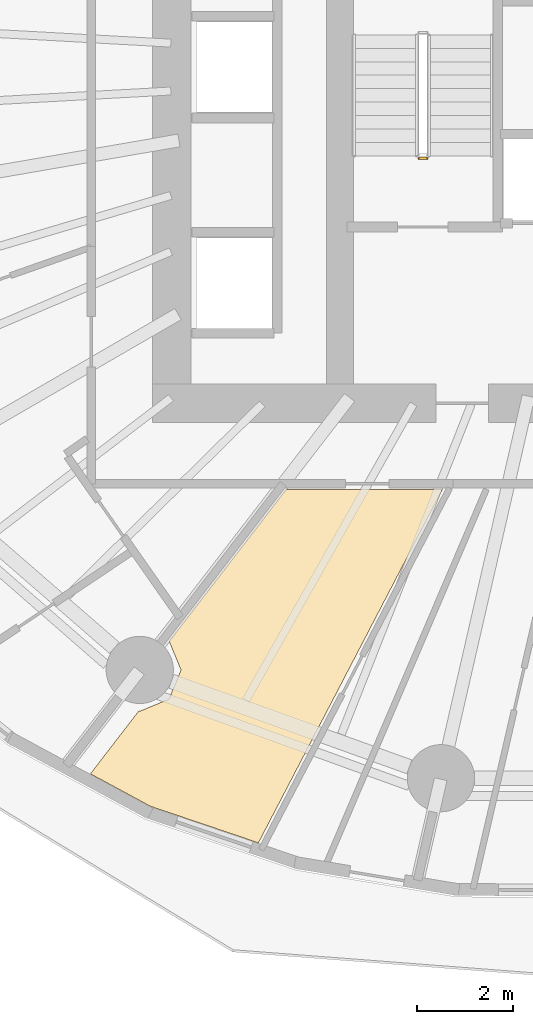
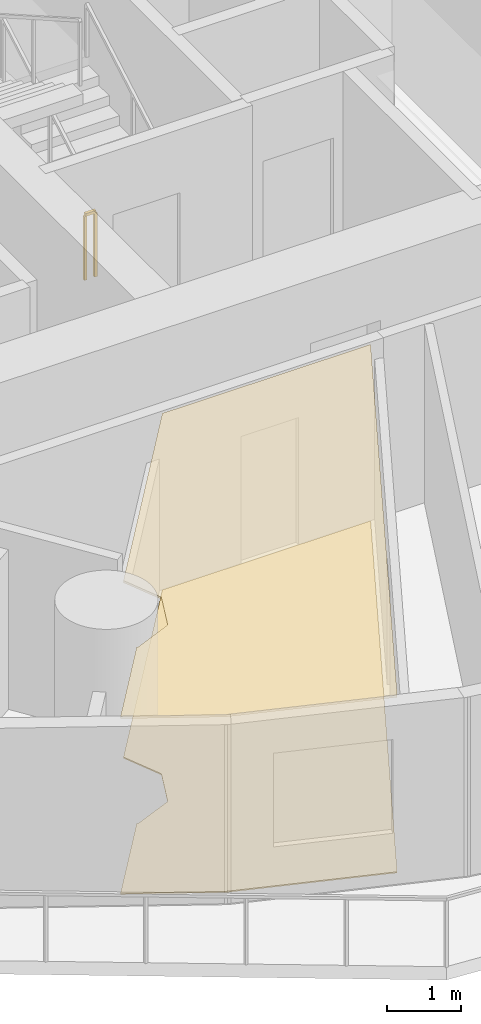
# One storey, part 10 of 13: 2 coverings, 1 railing.
"""IFC4 building model written with IfcOpenShell, lengths in metres."""

from ifc_helpers import new_model, si_unit, direction, frame, origin, origin_2d, place, context, subcontext, project, spatial, polyline, rectangle, outline, extrude, material, layer, layer_set, type_object, element, save


model = new_model("IFC4")

# Units and contexts
model_context = context("Model", 3, precision=1e-05, world=origin(), true_north=direction((0.0, 1.0)))
body_context = subcontext(model_context, "Body", "Model", "MODEL_VIEW")
ifc_project = project(units=[si_unit("LENGTHUNIT", "METRE"), si_unit("AREAUNIT", "SQUARE_METRE"), si_unit("VOLUMEUNIT", "CUBIC_METRE"), si_unit("PLANEANGLEUNIT", "RADIAN"), si_unit("MASSUNIT", "GRAM", prefix="KILO")], contexts=[model_context])

# Site, building, storey
site_placement = place(None, origin())
site = spatial("IfcSite", under=ifc_project, at=site_placement, CompositionType="ELEMENT")
building_placement = place(site_placement, origin())
building = spatial("IfcBuilding", under=site, at=building_placement, Name="Veldorim Arch Residences", CompositionType="ELEMENT")
storey_placement = place(building_placement, frame((0.0, 0.0, 53.60009765625)))
storey = spatial("IfcBuildingStorey", under=building, at=storey_placement, Name="L15", CompositionType="ELEMENT", Elevation=53.60009765625)

# Railing
ifc_material_1 = material(Name="Steel S355", Category="steel")
railing_type = type_object("IfcRailingType", Name="Galvanised Steel Stair Safety Guardrail 1100", PredefinedType="GUARDRAIL", material=ifc_material_1)
railing_placement = place(storey_placement, frame((28.31005859375, 22.10009765625, 0.0)))
element("IfcRailing", 1, at=railing_placement, inside=storey, type_object=railing_type, Name="L15 ST-1 stair guard 4", PredefinedType="GUARDRAIL", context=body_context, shape_type="SweptSolid", body=[
    extrude(rectangle(XDim=0.048095703125, YDim=0.048095703125, at=origin_2d()), frame((0.0, 0.0, 1.076171875), z_axis=(-1.0, 0.0, 0.0), x_axis=(0.0, -1.0, 0.0)), (0.0, 0.0, 1.0), 0.16015625),
    extrude(rectangle(XDim=0.0419921875, YDim=0.0419921875, at=origin_2d()), origin(), (0.0, 0.0, 1.0), 1.052001953125),
    extrude(rectangle(XDim=0.0419921875, YDim=0.0419921875, at=origin_2d()), frame((-0.16015625, 0.0, 0.0)), (0.0, 0.0, 1.0), 1.052001953125),
])

# Coverings
ifc_material_2 = material(Name="Acoustic Gypsum & Mineral Fibre", Category="gypsum")
ifc_layer_1 = layer(ifc_material_2, 0.034912109375, Name="Perforated Acoustic Mineral-Fibre Ceiling 35")
ifc_layer_set_1 = layer_set([ifc_layer_1], Name="Acoustic Gypsum & Mineral Fibre")
covering_type_1 = type_object("IfcCoveringType", Name="Perforated Acoustic Mineral-Fibre Ceiling 35", PredefinedType="CEILING", material=ifc_layer_set_1)
covering_1_placement = place(storey_placement, frame((0.0, 0.0, 2.90478515625)))
element("IfcCovering", 2, at=covering_1_placement, inside=storey, type_object=covering_type_1, Name="L15 acoustic suspended ceiling 02", PredefinedType="CEILING", context=body_context, shape_type="SweptSolid", body=[
    extrude(outline(polyline([(22.314453125, 10.5927734375), (22.3330078125, 10.5849609375), (22.941162109375, 10.8369140625), (23.193115234375, 11.44482421875), (22.9453125, 12.043212890625), (25.3759765625, 15.199951171875), (28.634521484375, 15.199951171875), (24.80322265625, 7.84375), (22.557861328125, 8.604248046875), (21.3046875, 9.28125), (22.314453125, 10.5927734375)])), origin(), (0.0, 0.0, 1.0), 0.03515625),
])
ifc_material_3 = material(Name="Porcelain Ceramic Tile", Category="ceramic")
ifc_layer_2 = layer(ifc_material_3, 0.02001953125, Name="Slip-Resistant Porcelain & Vinyl Floor Finish 20")
ifc_layer_set_2 = layer_set([ifc_layer_2], Name="Porcelain Ceramic Tile")
covering_type_2 = type_object("IfcCoveringType", Name="Slip-Resistant Porcelain & Vinyl Floor Finish 20", PredefinedType="FLOORING", material=ifc_layer_set_2)
covering_2_placement = place(storey_placement, origin())
element("IfcCovering", 3, at=covering_2_placement, inside=storey, type_object=covering_type_2, Name="L15 porcelain floor finish 02", PredefinedType="FLOORING", context=body_context, shape_type="SweptSolid", body=[
    extrude(outline(polyline([(22.314453125, 10.5927734375), (22.3330078125, 10.5849609375), (22.941162109375, 10.8369140625), (23.193115234375, 11.44482421875), (22.9453125, 12.043212890625), (25.3759765625, 15.199951171875), (28.634521484375, 15.199951171875), (24.80322265625, 7.84375), (22.557861328125, 8.604248046875), (21.3046875, 9.28125), (22.314453125, 10.5927734375)])), origin(), (0.0, 0.0, 1.0), 0.02001953125),
])

save(model, "model.ifc")
